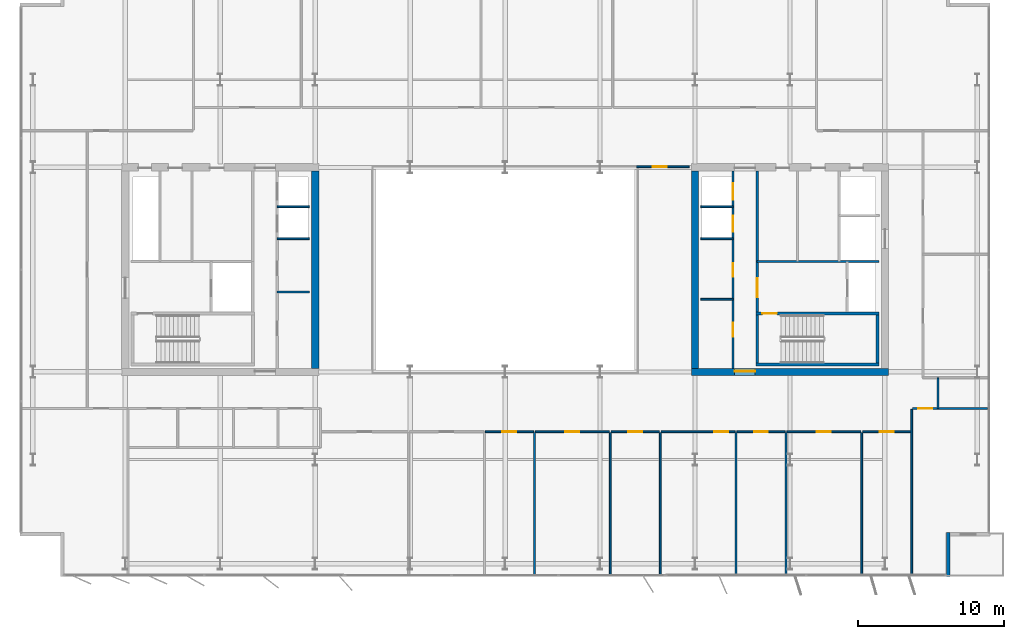
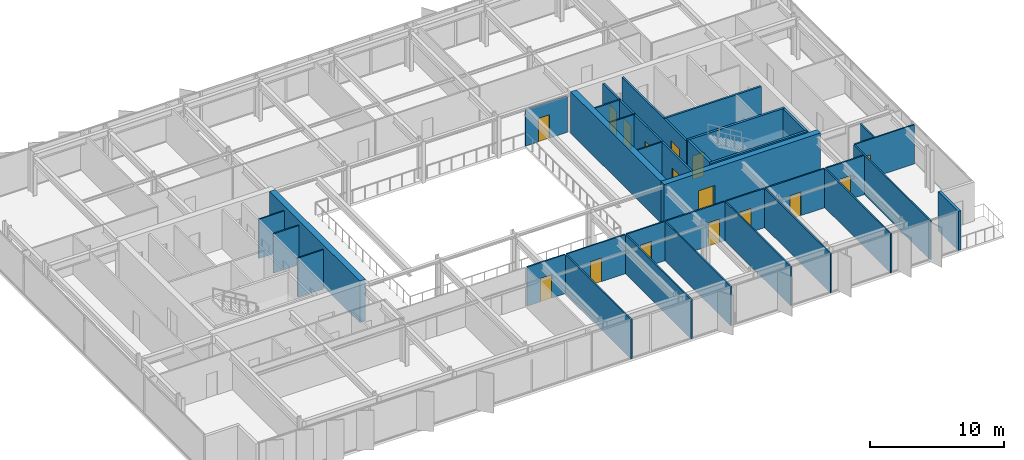
# One storey, part 18 of 24: 34 walls, 16 doors, 16 openings.
"""IFC4 building model written with IfcOpenShell, lengths in metres."""

from ifc_helpers import new_model, si_unit, direction, frame, frame_2d, origin, place, context, subcontext, project, spatial, rectangle, extrude, material, layer, layer_set, type_object, element, fill, save


model = new_model("IFC4")

# Units and contexts
model_context = context("Model", 3, precision=1e-05, world=origin(), true_north=direction((0.0, 1.0)))
body_context = subcontext(model_context, "Body", "Model", "MODEL_VIEW")
ifc_project = project(units=[si_unit("LENGTHUNIT", "METRE"), si_unit("AREAUNIT", "SQUARE_METRE"), si_unit("VOLUMEUNIT", "CUBIC_METRE"), si_unit("PLANEANGLEUNIT", "RADIAN"), si_unit("MASSUNIT", "GRAM", prefix="KILO")], contexts=[model_context])

# Site, building, storey
site_placement = place(None, origin())
site = spatial("IfcSite", under=ifc_project, at=site_placement, CompositionType="ELEMENT")
building_placement = place(site_placement, origin())
building = spatial("IfcBuilding", under=site, at=building_placement, Name="Putna Gate Headquarters", CompositionType="ELEMENT")
storey_placement = place(building_placement, frame((0.0, 0.0, 244.199951171875)))
storey = spatial("IfcBuildingStorey", under=building, at=storey_placement, Name="L61", CompositionType="ELEMENT", Elevation=244.199951171875)

# Wall
ifc_material_1 = material(Name="Concrete C50/60", Category="concrete")
ifc_layer_1 = layer(ifc_material_1, 0.5)
ifc_layer_set_1 = layer_set([ifc_layer_1], Name="Concrete C50/60")
wall_type_1 = type_object("IfcWallType", Name="WALL-CORE-500", PredefinedType="SHEAR", material=ifc_layer_set_1)
wall_1_placement = place(storey_placement, frame((26.0, 19.25, 0.0), z_axis=(0.0, 0.0, 1.0), x_axis=(0.0, 1.0, 0.0)))
element("IfcWall", 1, at=wall_1_placement, inside=storey, type_object=wall_type_1, Name="L61 WC Split Core Shear Wall E", PredefinedType="SHEAR", context=body_context, shape_type="SweptSolid", body=[
    extrude(rectangle(XDim=13.5, YDim=0.5, at=frame_2d((6.75, 0.0))), origin(), (0.0, 0.0, 1.0), 3.800048828125),
])

# Wall, opening, door
wall_2_placement = place(storey_placement, frame((51.75, 19.0, 0.0), z_axis=(0.0, 0.0, 1.0), x_axis=(1.0, 0.0, 0.0)))
wall_2 = element("IfcWall", 2, at=wall_2_placement, inside=storey, type_object=wall_type_1, Name="L61 EC Split Core Shear Wall S", PredefinedType="SHEAR", context=body_context, shape_type="SweptSolid", body=[
    extrude(rectangle(XDim=13.5, YDim=0.5, at=frame_2d((6.75, 0.0))), origin(), (0.0, 0.0, 1.0), 3.800048828125),
])
opening_1_placement = place(wall_2_placement, frame((2.969970703125, 0.0, 0.0)))
opening_1 = element("IfcOpeningElement", 3, at=opening_1_placement, cuts=wall_2, Name="Opening FDD-140", PredefinedType="OPENING", context=body_context, shape_type="SweptSolid", body=[
    extrude(rectangle(XDim=1.39990234375, YDim=2.199951171875, at=frame_2d((0.699951171875, 1.10009765625))), frame((0.0, 0.260009765625, 0.0), z_axis=(0.0, -1.0, 0.0), x_axis=(1.0, 0.0, 0.0)), (0.0, 0.0, 1.0), 0.52001953125),
])
ifc_material_2 = material(Name="Double steel fire door", Category="steel")
door_type_1 = type_object("IfcDoorType", Name="DOOR-FIRE-DBL-1400", OperationType="DOUBLE_DOOR_SINGLE_SWING", PredefinedType="DOOR", material=ifc_material_2)
door_1_placement = place(opening_1_placement, origin())
door_1 = element("IfcDoor", 4, at=door_1_placement, inside=storey, type_object=door_type_1, Name="L61 East Lift Lobby South Door", OperationType="DOUBLE_DOOR_SINGLE_SWING", OverallHeight=2.199951171875, OverallWidth=1.39990234375, PredefinedType="DOOR", context=body_context, shape_type="SweptSolid", body=[
    extrude(rectangle(XDim=1.39990234375, YDim=2.199951171875, at=frame_2d((0.699951171875, 1.10009765625))), frame((0.0, 0.0751953125, 0.0), z_axis=(0.0, -1.0, 0.0), x_axis=(1.0, 0.0, 0.0)), (0.0, 0.0, 1.0), 0.050048828125),
])
fill(opening_1, door_1)

# Walls
wall_3_placement = place(storey_placement, frame((52.0, 19.25, 0.0), z_axis=(0.0, 0.0, 1.0), x_axis=(0.0, 1.0, 0.0)))
element("IfcWall", 5, at=wall_3_placement, inside=storey, type_object=wall_type_1, Name="L61 EC Split Core Shear Wall W", PredefinedType="SHEAR", context=body_context, shape_type="SweptSolid", body=[
    extrude(rectangle(XDim=13.5, YDim=0.5, at=frame_2d((6.75, 0.0))), origin(), (0.0, 0.0, 1.0), 3.800048828125),
])
ifc_material_3 = material(Name="Precast concrete C40/50", Category="concrete")
ifc_layer_2 = layer(ifc_material_3, 0.239990234375)
ifc_layer_set_2 = layer_set([ifc_layer_2], Name="Precast concrete C40/50")
wall_type_2 = type_object("IfcWallType", Name="WALL-EXT-TERR-240", PredefinedType="STANDARD", material=ifc_layer_set_2)
wall_4_placement = place(storey_placement, frame((69.320068359375, 8.0, 0.0), z_axis=(0.0, 0.0, 1.0), x_axis=(0.0, -1.0, 0.0)))
element("IfcWall", 6, at=wall_4_placement, inside=storey, type_object=wall_type_2, Name="L61 Corner Notch Return Wall SE-V", PredefinedType="STANDARD", context=body_context, shape_type="SweptSolid", body=[
    extrude(rectangle(XDim=3.0, YDim=0.239990234375, at=frame_2d((1.5, 0.0))), origin(), (0.0, 0.0, 1.0), 3.580078125),
])

# Wall, opening, door
ifc_material_4 = material(Name="Acoustic gypsum board on metal stud")
ifc_layer_3 = layer(ifc_material_4, 0.1201171875)
ifc_layer_set_3 = layer_set([ifc_layer_3], Name="Acoustic gypsum board on metal stud")
wall_type_3 = type_object("IfcWallType", Name="WALL-PART-120", PredefinedType="PARTITIONING", material=ifc_layer_set_3)
wall_5_placement = place(storey_placement, frame((48.0, 33.0400390625, 0.0), z_axis=(0.0, 0.0, 1.0), x_axis=(1.0, 0.0, 0.0)))
wall_5 = element("IfcWall", 7, at=wall_5_placement, inside=storey, type_object=wall_type_3, Name="L61 Interior Wall PART-L61-ATR-E-N", PredefinedType="PARTITIONING", context=body_context, shape_type="SweptSolid", body=[
    extrude(rectangle(XDim=3.60009765625, YDim=0.1201171875, at=frame_2d((1.800048828125, 0.0))), origin(), (0.0, 0.0, 1.0), 3.320068359375),
])
opening_2_placement = place(wall_5_placement, frame((1.10009765625, 0.0, 0.0)))
opening_2 = element("IfcOpeningElement", 8, at=opening_2_placement, cuts=wall_5, Name="Opening ID-95", PredefinedType="OPENING", context=body_context, shape_type="SweptSolid", body=[
    extrude(rectangle(XDim=0.949951171875, YDim=2.14990234375, at=frame_2d((0.47509765625, 1.074951171875))), frame((0.0, 0.070068359375, 0.0), z_axis=(0.0, -1.0, 0.0), x_axis=(1.0, 0.0, 0.0)), (0.0, 0.0, 1.0), 0.14013671875),
])
ifc_material_5 = material(Name="Veneered acoustic timber door", Category="wood")
door_type_2 = type_object("IfcDoorType", Name="DOOR-OFF-950", OperationType="NOTDEFINED", PredefinedType="DOOR", material=ifc_material_5)
door_2_placement = place(opening_2_placement, origin())
door_2 = element("IfcDoor", 9, at=door_2_placement, inside=storey, type_object=door_type_2, Name="L61 East Sky Atrium Lounge Door", OperationType="SINGLE_SWING_LEFT", OverallHeight=2.14990234375, OverallWidth=0.949951171875, PredefinedType="DOOR", context=body_context, shape_type="SweptSolid", body=[
    extrude(rectangle(XDim=0.949951171875, YDim=2.14990234375, at=frame_2d((0.47509765625, 1.074951171875))), frame((0.0, 0.02490234375, 0.0), z_axis=(0.0, -1.0, 0.0), x_axis=(1.0, 0.0, 0.0)), (0.0, 0.0, 1.0), 0.050048828125),
])
fill(opening_2, door_2)

# Walls
for number, where, z_axis, x_axis, name in (
    (10, (41.007568359375, 5.02001953125, 0.0), (0.0, 0.0, 1.0), (0.0, 1.0, 0.0), "L61 Interior Wall PART-L61-SB-DIV-04"),
    (11, (46.197509765625, 5.02001953125, 0.0), (0.0, 0.0, 1.0), (0.0, 1.0, 0.0), "L61 Interior Wall PART-L61-SB-DIV-05"),
    (12, (49.614990234375, 5.02001953125, 0.0), (0.0, 0.0, 1.0), (0.0, 1.0, 0.0), "L61 Interior Wall PART-L61-SB-DIV-06"),
    (13, (54.804931640625, 5.02001953125, 0.0), (0.0, 0.0, 1.0), (0.0, 1.0, 0.0), "L61 Interior Wall PART-L61-SB-DIV-07"),
    (14, (58.22265625, 5.02001953125, 0.0), (0.0, 0.0, 1.0), (0.0, 1.0, 0.0), "L61 Interior Wall PART-L61-SB-DIV-08"),
    (15, (63.41259765625, 5.02001953125, 0.0), (0.0, 0.0, 1.0), (0.0, 1.0, 0.0), "L61 Interior Wall PART-L61-SB-DIV-09"),
):
    element("IfcWall", number, at=place(storey_placement, frame(where, z_axis=z_axis, x_axis=x_axis)), inside=storey, type_object=wall_type_3, Name=name, PredefinedType="PARTITIONING", context=body_context, shape_type="SweptSolid", body=[
        extrude(rectangle(XDim=9.820068359375, YDim=0.1201171875, at=frame_2d((4.91015625, 0.0))), origin(), (0.0, 0.0, 1.0), 3.580078125),
    ])
wall_6_placement = place(storey_placement, frame((66.830078125, 5.02001953125, 0.0), z_axis=(0.0, 0.0, 1.0), x_axis=(0.0, 1.0, 0.0)))
element("IfcWall", 16, at=wall_6_placement, inside=storey, type_object=wall_type_3, Name="L61 Interior Wall PART-L61-SB-DIV-10", PredefinedType="PARTITIONING", context=body_context, shape_type="SweptSolid", body=[
    extrude(rectangle(XDim=11.419921875, YDim=0.1201171875, at=frame_2d((5.7099609375, 0.0))), origin(), (0.0, 0.0, 1.0), 3.580078125),
])
ifc_material_6 = material(Name="Fire-rated shaftwall gypsum board on metal stud")
ifc_layer_4 = layer(ifc_material_6, 0.1201171875)
ifc_layer_set_4 = layer_set([ifc_layer_4], Name="Fire-rated shaftwall gypsum board on metal stud")
wall_type_4 = type_object("IfcWallType", Name="WALL-PART-120-EI120", PredefinedType="PARTITIONING", material=ifc_layer_set_4)
for number, where, z_axis, x_axis, name in (
    (17, (23.39990234375, 30.31005859375, 0.0), (0.0, 0.0, 1.0), (1.0, 0.0, 0.0), "L61 Interior Wall CWINT-L61-WC-LF09-DIV"),
    (18, (52.39990234375, 30.31005859375, 0.0), (0.0, 0.0, 1.0), (1.0, 0.0, 0.0), "L61 Interior Wall CWINT-L61-EC-LF11-DIV"),
):
    element("IfcWall", number, at=place(storey_placement, frame(where, z_axis=z_axis, x_axis=x_axis)), inside=storey, type_object=wall_type_4, Name=name, PredefinedType="PARTITIONING", context=body_context, shape_type="SweptSolid", body=[
        extrude(rectangle(XDim=2.2001953125, YDim=0.1201171875, at=frame_2d((1.10009765625, 0.0))), origin(), (0.0, 0.0, 1.0), 3.580078125),
    ])
ifc_material_7 = material(Name="Fire-rated gypsum board on metal stud")
ifc_layer_5 = layer(ifc_material_7, 0.1201171875)
ifc_layer_set_5 = layer_set([ifc_layer_5], Name="Fire-rated gypsum board on metal stud")
wall_type_5 = type_object("IfcWallType", Name="WALL-PART-120-RATED", PredefinedType="PARTITIONING", material=ifc_layer_set_5)
for number, where, z_axis, x_axis, name in (
    (19, (23.39990234375, 24.469970703125, 0.0), (0.0, 0.0, 1.0), (1.0, 0.0, 0.0), "L61 Interior Wall CWINT-L61-WC-REUSE-DIV"),
    (20, (23.39990234375, 28.1201171875, 0.0), (0.0, 0.0, 1.0), (1.0, 0.0, 0.0), "L61 Interior Wall CWINT-L61-WC-LF06-DIV"),
    (21, (52.39990234375, 23.969970703125, 0.0), (0.0, 0.0, 1.0), (1.0, 0.0, 0.0), "L61 Interior Wall CWINT-L61-EC-REUSE-DIV"),
    (22, (52.39990234375, 28.1201171875, 0.0), (0.0, 0.0, 1.0), (1.0, 0.0, 0.0), "L61 Interior Wall CWINT-L61-EC-LF08-DIV"),
):
    element("IfcWall", number, at=place(storey_placement, frame(where, z_axis=z_axis, x_axis=x_axis)), inside=storey, type_object=wall_type_5, Name=name, PredefinedType="PARTITIONING", context=body_context, shape_type="SweptSolid", body=[
        extrude(rectangle(XDim=2.2001953125, YDim=0.1201171875, at=frame_2d((1.10009765625, 0.0))), origin(), (0.0, 0.0, 1.0), 3.580078125),
    ])
wall_7_placement = place(storey_placement, frame((68.630126953125, 16.5, 0.0), z_axis=(0.0, 0.0, 1.0), x_axis=(0.0, 1.0, 0.0)))
element("IfcWall", 23, at=wall_7_placement, inside=storey, type_object=wall_type_5, Name="L61 Interior Wall PART-L61-CORRS-CAPE", PredefinedType="PARTITIONING", context=body_context, shape_type="SweptSolid", body=[
    extrude(rectangle(XDim=2.10009765625, YDim=0.1201171875, at=frame_2d((1.050048828125, 0.0))), origin(), (0.0, 0.0, 1.0), 3.580078125),
])

# Wall, opening, door
wall_8_placement = place(storey_placement, frame((37.64990234375, 14.89990234375, 0.0), z_axis=(0.0, 0.0, 1.0), x_axis=(1.0, 0.0, 0.0)))
wall_8 = element("IfcWall", 24, at=wall_8_placement, inside=storey, type_object=wall_type_5, Name="L61 Interior Wall PART-L61-SB-CW-04", PredefinedType="PARTITIONING", context=body_context, shape_type="SweptSolid", body=[
    extrude(rectangle(XDim=3.297607421875, YDim=0.1201171875, at=frame_2d((1.64892578125, 0.0))), origin(), (0.0, 0.0, 1.0), 3.580078125),
])
opening_3_placement = place(wall_8_placement, frame((1.173828125, 0.0, 0.0)))
opening_3 = element("IfcOpeningElement", 25, at=opening_3_placement, cuts=wall_8, Name="Opening FD-95", PredefinedType="OPENING", context=body_context, shape_type="SweptSolid", body=[
    extrude(rectangle(XDim=0.949951171875, YDim=2.14990234375, at=frame_2d((0.47509765625, 1.074951171875))), frame((0.0, 0.070068359375, 0.0), z_axis=(0.0, -1.0, 0.0), x_axis=(1.0, 0.0, 0.0)), (0.0, 0.0, 1.0), 0.14013671875),
])
ifc_material_8 = material(Name="Acoustic timber fire door", Category="wood")
door_type_3 = type_object("IfcDoorType", Name="DOOR-FIRE-950", OperationType="NOTDEFINED", PredefinedType="DOOR", material=ifc_material_8)
door_3_placement = place(opening_3_placement, origin())
door_3 = element("IfcDoor", 26, at=door_3_placement, inside=storey, type_object=door_type_3, Name="L61 Quiet Wellness Focus Studio 2 Door", OperationType="SINGLE_SWING_LEFT", OverallHeight=2.14990234375, OverallWidth=0.949951171875, PredefinedType="DOOR", context=body_context, shape_type="SweptSolid", body=[
    extrude(rectangle(XDim=0.949951171875, YDim=2.14990234375, at=frame_2d((0.47509765625, 1.074951171875))), frame((0.0, 0.02490234375, 0.0), z_axis=(0.0, -1.0, 0.0), x_axis=(1.0, 0.0, 0.0)), (0.0, 0.0, 1.0), 0.050048828125),
])
fill(opening_3, door_3)

wall_9_placement = place(storey_placement, frame((41.0673828125, 14.89990234375, 0.0), z_axis=(0.0, 0.0, 1.0), x_axis=(1.0, 0.0, 0.0)))
wall_9 = element("IfcWall", 27, at=wall_9_placement, inside=storey, type_object=wall_type_5, Name="L61 Interior Wall PART-L61-SB-CW-05", PredefinedType="PARTITIONING", context=body_context, shape_type="SweptSolid", body=[
    extrude(rectangle(XDim=5.070068359375, YDim=0.1201171875, at=frame_2d((2.53515625, 0.0))), origin(), (0.0, 0.0, 1.0), 3.580078125),
])
opening_4_placement = place(wall_9_placement, frame((2.06005859375, 0.0, 0.0)))
opening_4 = element("IfcOpeningElement", 28, at=opening_4_placement, cuts=wall_9, Name="Opening FD-95", PredefinedType="OPENING", context=body_context, shape_type="SweptSolid", body=[
    extrude(rectangle(XDim=0.949951171875, YDim=2.14990234375, at=frame_2d((0.47509765625, 1.074951171875))), frame((0.0, 0.070068359375, 0.0), z_axis=(0.0, -1.0, 0.0), x_axis=(1.0, 0.0, 0.0)), (0.0, 0.0, 1.0), 0.14013671875),
])
door_4_placement = place(opening_4_placement, origin())
door_4 = element("IfcDoor", 29, at=door_4_placement, inside=storey, type_object=door_type_3, Name="L61 Cellular Office 1 Door", OperationType="SINGLE_SWING_RIGHT", OverallHeight=2.14990234375, OverallWidth=0.949951171875, PredefinedType="DOOR", context=body_context, shape_type="SweptSolid", body=[
    extrude(rectangle(XDim=0.949951171875, YDim=2.14990234375, at=frame_2d((0.47509765625, 1.074951171875))), frame((0.0, 0.02490234375, 0.0), z_axis=(0.0, -1.0, 0.0), x_axis=(1.0, 0.0, 0.0)), (0.0, 0.0, 1.0), 0.050048828125),
])
fill(opening_4, door_4)

wall_10_placement = place(storey_placement, frame((46.25732421875, 14.89990234375, 0.0), z_axis=(0.0, 0.0, 1.0), x_axis=(1.0, 0.0, 0.0)))
wall_10 = element("IfcWall", 30, at=wall_10_placement, inside=storey, type_object=wall_type_5, Name="L61 Interior Wall PART-L61-SB-CW-06", PredefinedType="PARTITIONING", context=body_context, shape_type="SweptSolid", body=[
    extrude(rectangle(XDim=3.2978515625, YDim=0.1201171875, at=frame_2d((1.64892578125, 0.0))), origin(), (0.0, 0.0, 1.0), 3.580078125),
])
opening_5_placement = place(wall_10_placement, frame((1.173828125, 0.0, 0.0)))
opening_5 = element("IfcOpeningElement", 31, at=opening_5_placement, cuts=wall_10, Name="Opening FD-95", PredefinedType="OPENING", context=body_context, shape_type="SweptSolid", body=[
    extrude(rectangle(XDim=0.949951171875, YDim=2.14990234375, at=frame_2d((0.47509765625, 1.074951171875))), frame((0.0, 0.070068359375, 0.0), z_axis=(0.0, -1.0, 0.0), x_axis=(1.0, 0.0, 0.0)), (0.0, 0.0, 1.0), 0.14013671875),
])
door_5_placement = place(opening_5_placement, origin())
door_5 = element("IfcDoor", 32, at=door_5_placement, inside=storey, type_object=door_type_3, Name="L61 Cellular Office 2 Door", OperationType="SINGLE_SWING_LEFT", OverallHeight=2.14990234375, OverallWidth=0.949951171875, PredefinedType="DOOR", context=body_context, shape_type="SweptSolid", body=[
    extrude(rectangle(XDim=0.949951171875, YDim=2.14990234375, at=frame_2d((0.47509765625, 1.074951171875))), frame((0.0, 0.02490234375, 0.0), z_axis=(0.0, -1.0, 0.0), x_axis=(1.0, 0.0, 0.0)), (0.0, 0.0, 1.0), 0.050048828125),
])
fill(opening_5, door_5)

wall_11_placement = place(storey_placement, frame((49.675048828125, 14.89990234375, 0.0), z_axis=(0.0, 0.0, 1.0), x_axis=(1.0, 0.0, 0.0)))
wall_11 = element("IfcWall", 33, at=wall_11_placement, inside=storey, type_object=wall_type_5, Name="L61 Interior Wall PART-L61-SB-CW-07", PredefinedType="PARTITIONING", context=body_context, shape_type="SweptSolid", body=[
    extrude(rectangle(XDim=5.06982421875, YDim=0.1201171875, at=frame_2d((2.534912109375, 0.0))), origin(), (0.0, 0.0, 1.0), 3.580078125),
])
opening_6_placement = place(wall_11_placement, frame((3.639892578125, 0.0, 0.0)))
opening_6 = element("IfcOpeningElement", 34, at=opening_6_placement, cuts=wall_11, Name="Opening FD-95", PredefinedType="OPENING", context=body_context, shape_type="SweptSolid", body=[
    extrude(rectangle(XDim=0.949951171875, YDim=2.14990234375, at=frame_2d((0.47509765625, 1.074951171875))), frame((0.0, 0.070068359375, 0.0), z_axis=(0.0, -1.0, 0.0), x_axis=(1.0, 0.0, 0.0)), (0.0, 0.0, 1.0), 0.14013671875),
])
door_6_placement = place(opening_6_placement, origin())
door_6 = element("IfcDoor", 35, at=door_6_placement, inside=storey, type_object=door_type_3, Name="L61 Cellular Office 3 Door", OperationType="SINGLE_SWING_RIGHT", OverallHeight=2.14990234375, OverallWidth=0.949951171875, PredefinedType="DOOR", context=body_context, shape_type="SweptSolid", body=[
    extrude(rectangle(XDim=0.949951171875, YDim=2.14990234375, at=frame_2d((0.47509765625, 1.074951171875))), frame((0.0, 0.02490234375, 0.0), z_axis=(0.0, -1.0, 0.0), x_axis=(1.0, 0.0, 0.0)), (0.0, 0.0, 1.0), 0.050048828125),
])
fill(opening_6, door_6)

wall_12_placement = place(storey_placement, frame((54.864990234375, 14.89990234375, 0.0), z_axis=(0.0, 0.0, 1.0), x_axis=(1.0, 0.0, 0.0)))
wall_12 = element("IfcWall", 36, at=wall_12_placement, inside=storey, type_object=wall_type_5, Name="L61 Interior Wall PART-L61-SB-CW-08", PredefinedType="PARTITIONING", context=body_context, shape_type="SweptSolid", body=[
    extrude(rectangle(XDim=3.297607421875, YDim=0.1201171875, at=frame_2d((1.64892578125, 0.0))), origin(), (0.0, 0.0, 1.0), 3.580078125),
])
opening_7_placement = place(wall_12_placement, frame((1.173828125, 0.0, 0.0)))
opening_7 = element("IfcOpeningElement", 37, at=opening_7_placement, cuts=wall_12, Name="Opening FD-95", PredefinedType="OPENING", context=body_context, shape_type="SweptSolid", body=[
    extrude(rectangle(XDim=0.949951171875, YDim=2.14990234375, at=frame_2d((0.47509765625, 1.074951171875))), frame((0.0, 0.070068359375, 0.0), z_axis=(0.0, -1.0, 0.0), x_axis=(1.0, 0.0, 0.0)), (0.0, 0.0, 1.0), 0.14013671875),
])
door_7_placement = place(opening_7_placement, origin())
door_7 = element("IfcDoor", 38, at=door_7_placement, inside=storey, type_object=door_type_3, Name="L61 Cellular Office 4 Door", OperationType="SINGLE_SWING_LEFT", OverallHeight=2.14990234375, OverallWidth=0.949951171875, PredefinedType="DOOR", context=body_context, shape_type="SweptSolid", body=[
    extrude(rectangle(XDim=0.949951171875, YDim=2.14990234375, at=frame_2d((0.47509765625, 1.074951171875))), frame((0.0, 0.02490234375, 0.0), z_axis=(0.0, -1.0, 0.0), x_axis=(1.0, 0.0, 0.0)), (0.0, 0.0, 1.0), 0.050048828125),
])
fill(opening_7, door_7)

wall_13_placement = place(storey_placement, frame((58.28271484375, 14.89990234375, 0.0), z_axis=(0.0, 0.0, 1.0), x_axis=(1.0, 0.0, 0.0)))
wall_13 = element("IfcWall", 39, at=wall_13_placement, inside=storey, type_object=wall_type_5, Name="L61 Interior Wall PART-L61-SB-CW-09", PredefinedType="PARTITIONING", context=body_context, shape_type="SweptSolid", body=[
    extrude(rectangle(XDim=5.06982421875, YDim=0.1201171875, at=frame_2d((2.534912109375, 0.0))), origin(), (0.0, 0.0, 1.0), 3.580078125),
])
opening_8_placement = place(wall_13_placement, frame((2.059814453125, 0.0, 0.0)))
opening_8 = element("IfcOpeningElement", 40, at=opening_8_placement, cuts=wall_13, Name="Opening FD-95", PredefinedType="OPENING", context=body_context, shape_type="SweptSolid", body=[
    extrude(rectangle(XDim=0.949951171875, YDim=2.14990234375, at=frame_2d((0.47509765625, 1.074951171875))), frame((0.0, 0.070068359375, 0.0), z_axis=(0.0, -1.0, 0.0), x_axis=(1.0, 0.0, 0.0)), (0.0, 0.0, 1.0), 0.14013671875),
])
door_8_placement = place(opening_8_placement, origin())
door_8 = element("IfcDoor", 41, at=door_8_placement, inside=storey, type_object=door_type_3, Name="L61 Cellular Office 5 Door", OperationType="SINGLE_SWING_RIGHT", OverallHeight=2.14990234375, OverallWidth=0.949951171875, PredefinedType="DOOR", context=body_context, shape_type="SweptSolid", body=[
    extrude(rectangle(XDim=0.949951171875, YDim=2.14990234375, at=frame_2d((0.47509765625, 1.074951171875))), frame((0.0, 0.02490234375, 0.0), z_axis=(0.0, -1.0, 0.0), x_axis=(1.0, 0.0, 0.0)), (0.0, 0.0, 1.0), 0.050048828125),
])
fill(opening_8, door_8)

wall_14_placement = place(storey_placement, frame((63.472412109375, 14.89990234375, 0.0), z_axis=(0.0, 0.0, 1.0), x_axis=(1.0, 0.0, 0.0)))
wall_14 = element("IfcWall", 42, at=wall_14_placement, inside=storey, type_object=wall_type_5, Name="L61 Interior Wall PART-L61-SB-CW-10", PredefinedType="PARTITIONING", context=body_context, shape_type="SweptSolid", body=[
    extrude(rectangle(XDim=3.2978515625, YDim=0.1201171875, at=frame_2d((1.64892578125, 0.0))), origin(), (0.0, 0.0, 1.0), 3.580078125),
])
opening_9_placement = place(wall_14_placement, frame((1.173828125, 0.0, 0.0)))
opening_9 = element("IfcOpeningElement", 43, at=opening_9_placement, cuts=wall_14, Name="Opening FD-95", PredefinedType="OPENING", context=body_context, shape_type="SweptSolid", body=[
    extrude(rectangle(XDim=0.949951171875, YDim=2.14990234375, at=frame_2d((0.47509765625, 1.074951171875))), frame((0.0, 0.070068359375, 0.0), z_axis=(0.0, -1.0, 0.0), x_axis=(1.0, 0.0, 0.0)), (0.0, 0.0, 1.0), 0.14013671875),
])
door_9_placement = place(opening_9_placement, origin())
door_9 = element("IfcDoor", 44, at=door_9_placement, inside=storey, type_object=door_type_3, Name="L61 Cellular Office 6 Door", OperationType="SINGLE_SWING_LEFT", OverallHeight=2.14990234375, OverallWidth=0.949951171875, PredefinedType="DOOR", context=body_context, shape_type="SweptSolid", body=[
    extrude(rectangle(XDim=0.949951171875, YDim=2.14990234375, at=frame_2d((0.47509765625, 1.074951171875))), frame((0.0, 0.02490234375, 0.0), z_axis=(0.0, -1.0, 0.0), x_axis=(1.0, 0.0, 0.0)), (0.0, 0.0, 1.0), 0.050048828125),
])
fill(opening_9, door_9)

wall_15_placement = place(storey_placement, frame((66.89013671875, 16.5, 0.0), z_axis=(0.0, 0.0, 1.0), x_axis=(1.0, 0.0, 0.0)))
wall_15 = element("IfcWall", 45, at=wall_15_placement, inside=storey, type_object=wall_type_5, Name="L61 Interior Wall PART-L61-SB-CW-11", PredefinedType="PARTITIONING", context=body_context, shape_type="SweptSolid", body=[
    extrude(rectangle(XDim=5.1298828125, YDim=0.1201171875, at=frame_2d((2.56494140625, 0.0))), origin(), (0.0, 0.0, 1.0), 3.580078125),
])
opening_10_placement = place(wall_15_placement, frame((0.39501953125, 0.0, 0.0)))
opening_10 = element("IfcOpeningElement", 46, at=opening_10_placement, cuts=wall_15, Name="Opening FD-95", PredefinedType="OPENING", context=body_context, shape_type="SweptSolid", body=[
    extrude(rectangle(XDim=0.949951171875, YDim=2.14990234375, at=frame_2d((0.47509765625, 1.074951171875))), frame((0.0, 0.070068359375, 0.0), z_axis=(0.0, -1.0, 0.0), x_axis=(1.0, 0.0, 0.0)), (0.0, 0.0, 1.0), 0.14013671875),
])
door_10_placement = place(opening_10_placement, origin())
door_10 = element("IfcDoor", 47, at=door_10_placement, inside=storey, type_object=door_type_3, Name="L61 Conference Meeting Room 3 Door", OperationType="SINGLE_SWING_RIGHT", OverallHeight=2.14990234375, OverallWidth=0.949951171875, PredefinedType="DOOR", context=body_context, shape_type="SweptSolid", body=[
    extrude(rectangle(XDim=0.949951171875, YDim=2.14990234375, at=frame_2d((0.47509765625, 1.074951171875))), frame((0.0, 0.02490234375, 0.0), z_axis=(0.0, -1.0, 0.0), x_axis=(1.0, 0.0, 0.0)), (0.0, 0.0, 1.0), 0.050048828125),
])
fill(opening_10, door_10)

# Wall, openings, doors
ifc_material_9 = material(Name="Concrete C40/50", Category="concrete")
ifc_layer_6 = layer(ifc_material_9, 0.159912109375)
ifc_layer_set_6 = layer_set([ifc_layer_6], Name="Concrete C40/50")
wall_type_6 = type_object("IfcWallType", Name="WALL-SHAFT-160", PredefinedType="STANDARD", material=ifc_layer_set_6)
wall_16_placement = place(storey_placement, frame((54.60009765625, 19.25, 0.0), z_axis=(0.0, 0.0, 1.0), x_axis=(0.0, 1.0, 0.0)))
wall_16 = element("IfcWall", 48, at=wall_16_placement, inside=storey, type_object=wall_type_6, Name="L61 Interior Wall CWINT-L61-EC-PL-WALL", PredefinedType="STANDARD", context=body_context, shape_type="SweptSolid", body=[
    extrude(rectangle(XDim=13.5, YDim=0.159912109375, at=frame_2d((6.75, 0.0))), origin(), (0.0, 0.0, 1.0), 3.580078125),
])
opening_11_placement = place(wall_16_placement, frame((2.14990234375, 0.0, 0.0)))
opening_11 = element("IfcOpeningElement", 49, at=opening_11_placement, cuts=wall_16, Name="Opening IDS-95", PredefinedType="OPENING", context=body_context, shape_type="SweptSolid", body=[
    extrude(rectangle(XDim=0.949951171875, YDim=2.14990234375, at=frame_2d((0.47509765625, 1.074951171875))), frame((0.0, 0.08984375, 0.0), z_axis=(0.0, -1.0, 0.0), x_axis=(1.0, 0.0, 0.0)), (0.0, 0.0, 1.0), 0.179931640625),
])
opening_12_placement = place(wall_16_placement, frame((6.25, 0.0, 0.0)))
opening_12 = element("IfcOpeningElement", 50, at=opening_12_placement, cuts=wall_16, Name="Opening IDS-95", PredefinedType="OPENING", context=body_context, shape_type="SweptSolid", body=[
    extrude(rectangle(XDim=0.949951171875, YDim=2.14990234375, at=frame_2d((0.47509765625, 1.074951171875))), frame((0.0, 0.08984375, 0.0), z_axis=(0.0, -1.0, 0.0), x_axis=(1.0, 0.0, 0.0)), (0.0, 0.0, 1.0), 0.179931640625),
])
opening_13_placement = place(wall_16_placement, frame((9.35009765625, 0.0, 0.0)))
opening_13 = element("IfcOpeningElement", 51, at=opening_13_placement, cuts=wall_16, Name="Opening LD-1", PredefinedType="OPENING", context=body_context, shape_type="SweptSolid", body=[
    extrude(rectangle(XDim=1.10009765625, YDim=2.199951171875, at=frame_2d((0.550048828125, 1.10009765625))), frame((0.0, 0.08984375, 0.0), z_axis=(0.0, -1.0, 0.0), x_axis=(1.0, 0.0, 0.0)), (0.0, 0.0, 1.0), 0.179931640625),
])
opening_14_placement = place(wall_16_placement, frame((11.550048828125, 0.0, 0.0)))
opening_14 = element("IfcOpeningElement", 52, at=opening_14_placement, cuts=wall_16, Name="Opening LD-1", PredefinedType="OPENING", context=body_context, shape_type="SweptSolid", body=[
    extrude(rectangle(XDim=1.10009765625, YDim=2.199951171875, at=frame_2d((0.550048828125, 1.10009765625))), frame((0.0, 0.08984375, 0.0), z_axis=(0.0, -1.0, 0.0), x_axis=(1.0, 0.0, 0.0)), (0.0, 0.0, 1.0), 0.179931640625),
])
ifc_material_10 = material(Name="Fire-rated service timber door", Category="wood")
door_type_4 = type_object("IfcDoorType", Name="DOOR-INT-950", OperationType="NOTDEFINED", PredefinedType="DOOR", material=ifc_material_10)
door_11_placement = place(opening_11_placement, origin())
door_11 = element("IfcDoor", 53, at=door_11_placement, inside=storey, type_object=door_type_4, Name="L61 Executive Archive Door", OperationType="SINGLE_SWING_RIGHT", OverallHeight=2.14990234375, OverallWidth=0.949951171875, PredefinedType="DOOR", context=body_context, shape_type="SweptSolid", body=[
    extrude(rectangle(XDim=0.949951171875, YDim=2.14990234375, at=frame_2d((0.47509765625, 1.074951171875))), frame((0.0, 0.02490234375, 0.0), z_axis=(0.0, -1.0, 0.0), x_axis=(1.0, 0.0, 0.0)), (0.0, 0.0, 1.0), 0.050048828125),
])
fill(opening_11, door_11)
door_12_placement = place(opening_12_placement, origin())
door_12 = element("IfcDoor", 54, at=door_12_placement, inside=storey, type_object=door_type_4, Name="L61 Comms Distribution Door", OperationType="SINGLE_SWING_LEFT", OverallHeight=2.14990234375, OverallWidth=0.949951171875, PredefinedType="DOOR", context=body_context, shape_type="SweptSolid", body=[
    extrude(rectangle(XDim=0.949951171875, YDim=2.14990234375, at=frame_2d((0.47509765625, 1.074951171875))), frame((0.0, 0.02490234375, 0.0), z_axis=(0.0, -1.0, 0.0), x_axis=(1.0, 0.0, 0.0)), (0.0, 0.0, 1.0), 0.050048828125),
])
fill(opening_12, door_12)
ifc_material_11 = material(Name="Brushed bronze stainless lift landing door")
door_type_5 = type_object("IfcDoorType", Name="DOOR-LIFT-1100", OperationType="DOUBLE_DOOR_SLIDING", PredefinedType="DOOR", material=ifc_material_11)
door_13_placement = place(opening_13_placement, origin())
door_13 = element("IfcDoor", 55, at=door_13_placement, inside=storey, type_object=door_type_5, Name="L61 Lift Landing Door LD-11", OperationType="DOUBLE_DOOR_SLIDING", OverallHeight=2.199951171875, OverallWidth=1.10009765625, PredefinedType="DOOR", context=body_context, shape_type="SweptSolid", body=[
    extrude(rectangle(XDim=1.10009765625, YDim=2.199951171875, at=frame_2d((0.550048828125, 1.10009765625))), frame((0.0, 0.02490234375, 0.0), z_axis=(0.0, -1.0, 0.0), x_axis=(1.0, 0.0, 0.0)), (0.0, 0.0, 1.0), 0.050048828125),
])
fill(opening_13, door_13)
door_14_placement = place(opening_14_placement, origin())
door_14 = element("IfcDoor", 56, at=door_14_placement, inside=storey, type_object=door_type_5, Name="L61 Lift Landing Door LD-12", OperationType="DOUBLE_DOOR_SLIDING", OverallHeight=2.199951171875, OverallWidth=1.10009765625, PredefinedType="DOOR", context=body_context, shape_type="SweptSolid", body=[
    extrude(rectangle(XDim=1.10009765625, YDim=2.199951171875, at=frame_2d((0.550048828125, 1.10009765625))), frame((0.0, 0.02490234375, 0.0), z_axis=(0.0, -1.0, 0.0), x_axis=(1.0, 0.0, 0.0)), (0.0, 0.0, 1.0), 0.050048828125),
])
fill(opening_14, door_14)

# Wall, opening, door
wall_17_placement = place(storey_placement, frame((56.260009765625, 23.090087890625, 0.0), z_axis=(0.0, 0.0, 1.0), x_axis=(0.0, 1.0, 0.0)))
wall_17 = element("IfcWall", 57, at=wall_17_placement, inside=storey, type_object=wall_type_6, Name="L61 Interior Wall CWINT-L61-EC-LOB-E", PredefinedType="STANDARD", context=body_context, shape_type="SweptSolid", body=[
    extrude(rectangle(XDim=9.659912109375, YDim=0.159912109375, at=frame_2d((4.830078125, 0.0))), origin(), (0.0, 0.0, 1.0), 3.580078125),
])
opening_15_placement = place(wall_17_placement, frame((1.010009765625, 0.0, 0.0)))
opening_15 = element("IfcOpeningElement", 58, at=opening_15_placement, cuts=wall_17, Name="Opening FDD-130", PredefinedType="OPENING", context=body_context, shape_type="SweptSolid", body=[
    extrude(rectangle(XDim=1.300048828125, YDim=2.199951171875, at=frame_2d((0.64990234375, 1.10009765625))), frame((0.0, 0.08984375, 0.0), z_axis=(0.0, -1.0, 0.0), x_axis=(1.0, 0.0, 0.0)), (0.0, 0.0, 1.0), 0.179931640625),
])
ifc_material_12 = material(Name="Double steel lobby fire door", Category="steel")
door_type_6 = type_object("IfcDoorType", Name="DOOR-FIRE-DBL-1300", OperationType="DOUBLE_DOOR_SINGLE_SWING", PredefinedType="DOOR", material=ifc_material_12)
door_15_placement = place(opening_15_placement, origin())
door_15 = element("IfcDoor", 59, at=door_15_placement, inside=storey, type_object=door_type_6, Name="L61 East Firefighting Lobby Door", OperationType="DOUBLE_DOOR_SINGLE_SWING", OverallHeight=2.199951171875, OverallWidth=1.300048828125, PredefinedType="DOOR", context=body_context, shape_type="SweptSolid", body=[
    extrude(rectangle(XDim=1.300048828125, YDim=2.199951171875, at=frame_2d((0.64990234375, 1.10009765625))), frame((0.0, 0.02490234375, 0.0), z_axis=(0.0, -1.0, 0.0), x_axis=(1.0, 0.0, 0.0)), (0.0, 0.0, 1.0), 0.050048828125),
])
fill(opening_15, door_15)

# Walls
wall_18_placement = place(storey_placement, frame((56.260009765625, 26.56005859375, 0.0), z_axis=(0.0, 0.0, 1.0), x_axis=(1.0, 0.0, 0.0)))
element("IfcWall", 60, at=wall_18_placement, inside=storey, type_object=wall_type_6, Name="L61 Interior Wall CWINT-L61-EC-FFL-N", PredefinedType="STANDARD", context=body_context, shape_type="SweptSolid", body=[
    extrude(rectangle(XDim=8.340087890625, YDim=0.159912109375, at=frame_2d((4.169921875, 0.0))), origin(), (0.0, 0.0, 1.0), 3.580078125),
])
ifc_layer_7 = layer(ifc_material_9, 0.199951171875)
ifc_layer_set_7 = layer_set([ifc_layer_7], Name="Concrete C40/50")
wall_type_7 = type_object("IfcWallType", Name="WALL-SHAFT-RC200", PredefinedType="SHEAR", material=ifc_layer_set_7)
wall_19_placement = place(storey_placement, frame((56.159912109375, 19.510009765625, 0.0), z_axis=(0.0, 0.0, 1.0), x_axis=(1.0, 0.0, 0.0)))
element("IfcWall", 61, at=wall_19_placement, inside=storey, type_object=wall_type_7, Name="L61 Stair ST2 Structural Shaft Wall S", PredefinedType="SHEAR", context=body_context, shape_type="SweptSolid", body=[
    extrude(rectangle(XDim=8.43017578125, YDim=0.199951171875, at=frame_2d((4.215087890625, 0.0))), origin(), (0.0, 0.0, 1.0), 3.800048828125),
])

# Wall, opening, door
wall_20_placement = place(storey_placement, frame((56.159912109375, 22.989990234375, 0.0), z_axis=(0.0, 0.0, 1.0), x_axis=(1.0, 0.0, 0.0)))
wall_20 = element("IfcWall", 62, at=wall_20_placement, inside=storey, type_object=wall_type_7, Name="L61 Stair ST2 Structural Shaft Wall N", PredefinedType="SHEAR", context=body_context, shape_type="SweptSolid", body=[
    extrude(rectangle(XDim=8.43017578125, YDim=0.199951171875, at=frame_2d((4.215087890625, 0.0))), origin(), (0.0, 0.0, 1.0), 3.800048828125),
])
opening_16_placement = place(wall_20_placement, frame((0.449951171875, 0.0, 0.0)))
opening_16 = element("IfcOpeningElement", 63, at=opening_16_placement, cuts=wall_20, Name="Opening FD-100", PredefinedType="OPENING", context=body_context, shape_type="SweptSolid", body=[
    extrude(rectangle(XDim=1.0, YDim=2.14990234375, at=frame_2d((0.5, 1.074951171875))), frame((0.0, 0.10986328125, 0.0), z_axis=(0.0, -1.0, 0.0), x_axis=(1.0, 0.0, 0.0)), (0.0, 0.0, 1.0), 0.219970703125),
])
ifc_material_13 = material(Name="Powder-coated steel fire door", Category="steel")
door_type_7 = type_object("IfcDoorType", Name="DOOR-FIRE-1000", OperationType="NOTDEFINED", PredefinedType="DOOR", material=ifc_material_13)
door_16_placement = place(opening_16_placement, origin())
door_16 = element("IfcDoor", 64, at=door_16_placement, inside=storey, type_object=door_type_7, Name="L61 Stair ST2 Fire Door", OperationType="SINGLE_SWING_RIGHT", OverallHeight=2.14990234375, OverallWidth=1.0, PredefinedType="DOOR", context=body_context, shape_type="SweptSolid", body=[
    extrude(rectangle(XDim=1.0, YDim=2.14990234375, at=frame_2d((0.5, 1.074951171875))), frame((0.0, 0.02490234375, 0.0), z_axis=(0.0, -1.0, 0.0), x_axis=(1.0, 0.0, 0.0)), (0.0, 0.0, 1.0), 0.050048828125),
])
fill(opening_16, door_16)

# Walls
for number, where, z_axis, x_axis, name in (
    (65, (56.260009765625, 19.610107421875, 0.0), (0.0, 0.0, 1.0), (0.0, 1.0, 0.0), "L61 Stair ST2 Structural Shaft Wall W"),
    (66, (64.489990234375, 19.610107421875, 0.0), (0.0, 0.0, 1.0), (0.0, 1.0, 0.0), "L61 Stair ST2 Structural Shaft Wall E"),
):
    element("IfcWall", number, at=place(storey_placement, frame(where, z_axis=z_axis, x_axis=x_axis)), inside=storey, type_object=wall_type_7, Name=name, PredefinedType="SHEAR", context=body_context, shape_type="SweptSolid", body=[
        extrude(rectangle(XDim=3.27978515625, YDim=0.199951171875, at=frame_2d((1.639892578125, 0.0))), origin(), (0.0, 0.0, 1.0), 3.800048828125),
    ])

save(model, "model.ifc")
